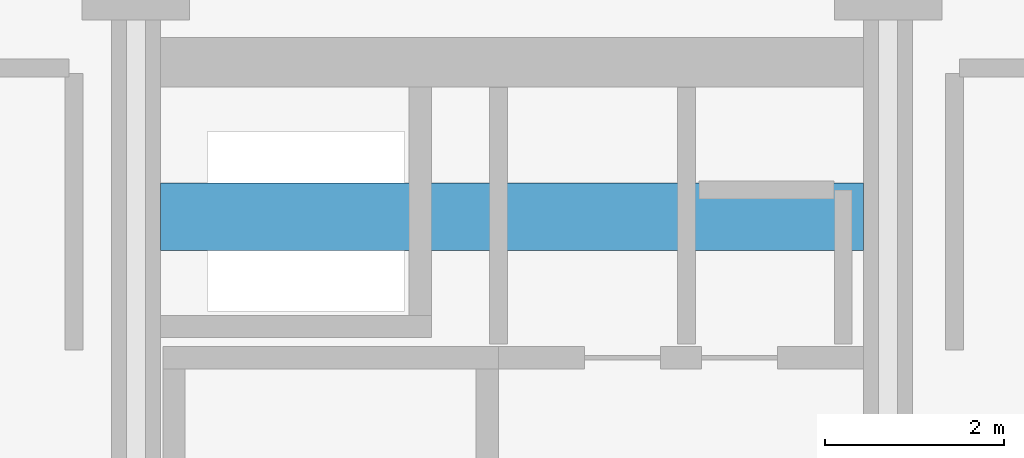
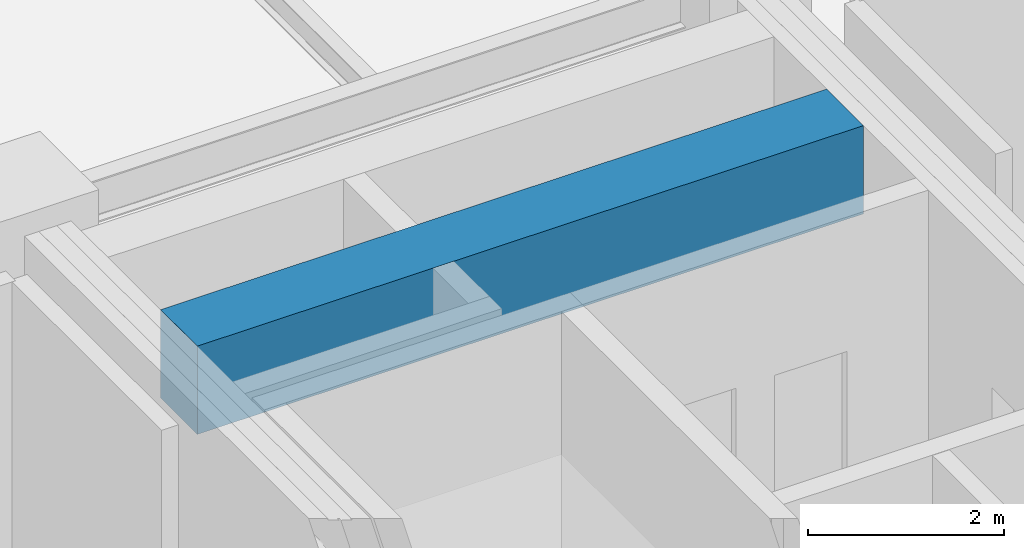
# One storey, part 17 of 29: 1 beam.
"""IFC4 building model written with IfcOpenShell, lengths in metres."""

from ifc_helpers import new_model, si_unit, direction, frame, origin, origin_2d, place, context, subcontext, project, spatial, rectangle, extrude, material, material_profile, profile_set, type_object, element, save


model = new_model("IFC4")

# Units and contexts
model_context = context("Model", 3, precision=1e-05, world=origin(), true_north=direction((0.0, 1.0)))
body_context = subcontext(model_context, "Body", "Model", "MODEL_VIEW")
ifc_project = project(units=[si_unit("LENGTHUNIT", "METRE"), si_unit("AREAUNIT", "SQUARE_METRE"), si_unit("VOLUMEUNIT", "CUBIC_METRE"), si_unit("PLANEANGLEUNIT", "RADIAN"), si_unit("MASSUNIT", "GRAM", prefix="KILO")], contexts=[model_context])

# Site, building, storey
site_placement = place(None, origin())
site = spatial("IfcSite", under=ifc_project, at=site_placement, CompositionType="ELEMENT")
building_placement = place(site_placement, origin())
building = spatial("IfcBuilding", under=site, at=building_placement, Name="Nerrivon Quay Data Exchange", CompositionType="ELEMENT")
storey_placement = place(building_placement, frame((0.0, 0.0, 150.0)))
storey = spatial("IfcBuildingStorey", under=building, at=storey_placement, Name="L35", CompositionType="ELEMENT", Elevation=150.0)

# Beam
ifc_material = material(Name="Concrete S65 (65 MPa)", Category="concrete")
ifc_material_profile = material_profile(ifc_material, rectangle(XDim=0.75, YDim=1.10009765625, at=origin_2d()), Name="RC-CB-750x1100")
ifc_profile_set = profile_set([ifc_material_profile], Name="Concrete S65 (65 MPa)")
beam_type = type_object("IfcBeamType", Name="BM-CB1-750x1100", PredefinedType="LINTEL", material=ifc_profile_set)
beam_placement = place(storey_placement, frame((8.675048828125, 39.199951171875, 3.27490234375), z_axis=(1.0, 0.0, 0.0), x_axis=(0.0, 1.0, 0.0)))
element("IfcBeam", 1, at=beam_placement, inside=storey, type_object=beam_type, Name="L35 West Core Coupling Beam", PredefinedType="LINTEL", context=body_context, shape_type="SweptSolid", body=[
    extrude(rectangle(XDim=0.75, YDim=1.10009765625, at=origin_2d()), origin(), (0.0, 0.0, 1.0), 7.849853515625),
])

save(model, "model.ifc")
